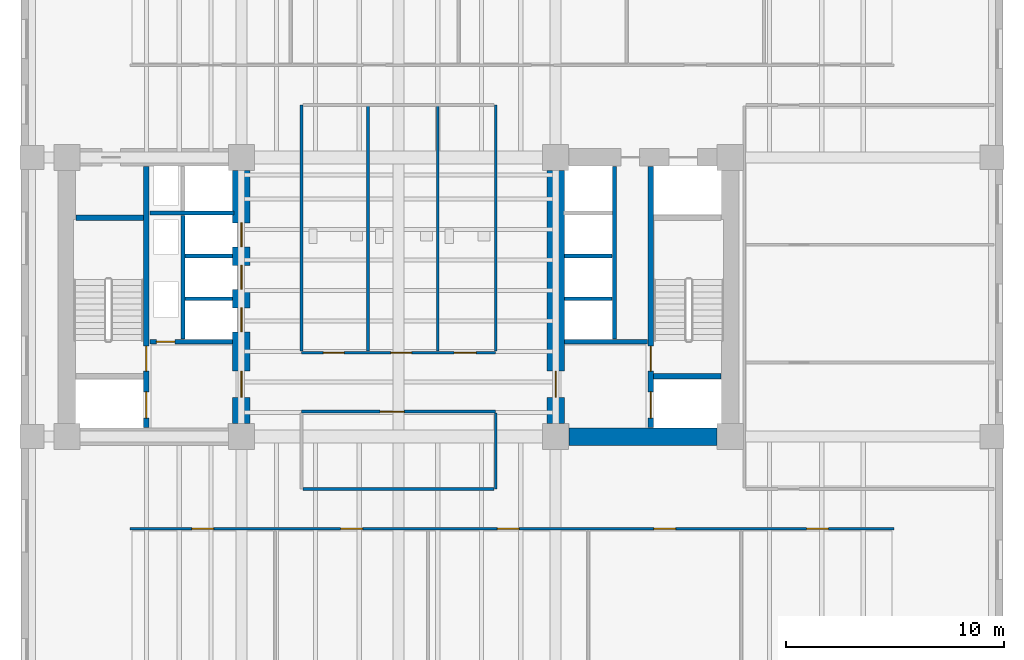
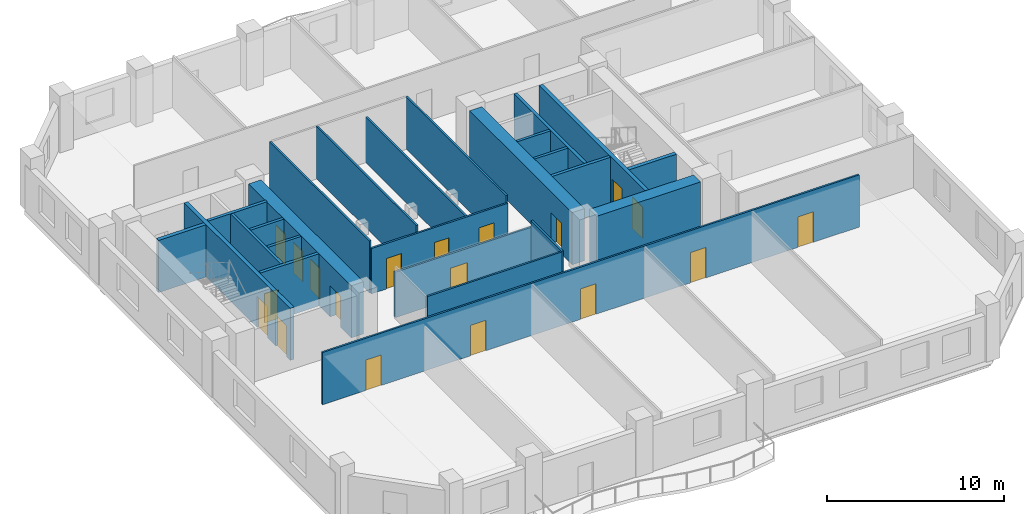
# One storey, part 3 of 9: 25 walls, 19 doors, 19 openings.
"""IFC4 building model written with IfcOpenShell, lengths in metres."""

from ifc_helpers import new_model, si_unit, direction, frame, frame_2d, origin, place, context, subcontext, project, spatial, rectangle, extrude, material, layer, layer_set, type_object, element, fill, save


model = new_model("IFC4")

# Units and contexts
model_context = context("Model", 3, precision=1e-05, world=origin(), true_north=direction((0.0, 1.0)))
body_context = subcontext(model_context, "Body", "Model", "MODEL_VIEW")
ifc_project = project(units=[si_unit("LENGTHUNIT", "METRE"), si_unit("AREAUNIT", "SQUARE_METRE"), si_unit("VOLUMEUNIT", "CUBIC_METRE"), si_unit("PLANEANGLEUNIT", "RADIAN"), si_unit("MASSUNIT", "GRAM", prefix="KILO")], contexts=[model_context])

# Site, building, storey
site_placement = place(None, origin())
site = spatial("IfcSite", under=ifc_project, at=site_placement, CompositionType="ELEMENT")
building_placement = place(site_placement, origin())
building = spatial("IfcBuilding", under=site, at=building_placement, Name="Kranthara Brick Stack", CompositionType="ELEMENT")
storey_placement = place(building_placement, frame((0.0, 0.0, 59.39990234375)))
storey = spatial("IfcBuildingStorey", under=building, at=storey_placement, Name="L14", CompositionType="ELEMENT", Elevation=59.39990234375)

# Wall, openings, doors
ifc_material_1 = material(Name="Concrete C50/60", Category="concrete")
ifc_layer_1 = layer(ifc_material_1, 0.25)
ifc_layer_set_1 = layer_set([ifc_layer_1], Name="Concrete C50/60")
wall_type_1 = type_object("IfcWallType", Name="WL-CORE-250", PredefinedType="SHEAR", material=ifc_layer_set_1)
wall_1_placement = place(storey_placement, frame((16.43505859375, 21.2099609375, 0.0), z_axis=(0.0, 0.0, 1.0), x_axis=(0.0, 1.0, 0.0)))
wall_1 = element("IfcWall", 1, at=wall_1_placement, inside=storey, type_object=wall_type_1, Name="L14 West Core Stair Bearing Spine Wall", PredefinedType="SHEAR", context=body_context, shape_type="SweptSolid", body=[
    extrude(rectangle(XDim=11.97998046875, YDim=0.25, at=frame_2d((5.989990234375, 0.0))), origin(), (0.0, 0.0, 1.0), 3.60009765625),
])
opening_1_placement = place(wall_1_placement, frame((0.43994140625, 0.0, 0.0)))
opening_1 = element("IfcOpeningElement", 2, at=opening_1_placement, cuts=wall_1, Name="Opening LD01", PredefinedType="OPENING", context=body_context, shape_type="SweptSolid", body=[
    extrude(rectangle(XDim=1.199951171875, YDim=2.14990234375, at=frame_2d((0.60009765625, 1.074951171875))), frame((0.0, 0.135009765625, 0.0), z_axis=(0.0, -1.0, 0.0), x_axis=(1.0, 0.0, 0.0)), (0.0, 0.0, 1.0), 0.27001953125),
])
opening_2_placement = place(wall_1_placement, frame((2.590087890625, 0.0, 0.0)))
opening_2 = element("IfcOpeningElement", 3, at=opening_2_placement, cuts=wall_1, Name="Opening D05", PredefinedType="OPENING", context=body_context, shape_type="SweptSolid", body=[
    extrude(rectangle(XDim=1.14990234375, YDim=2.14990234375, at=frame_2d((0.574951171875, 1.074951171875))), frame((0.0, 0.135009765625, 0.0), z_axis=(0.0, -1.0, 0.0), x_axis=(1.0, 0.0, 0.0)), (0.0, 0.0, 1.0), 0.27001953125),
])
ifc_material_2 = material(Name="Stainless steel sliding landing door", Category="steel")
door_type_1 = type_object("IfcDoorType", Name="DR-LD-FF1200", OperationType="DOUBLE_DOOR_SLIDING", PredefinedType="DOOR", material=ifc_material_2)
door_1_placement = place(opening_1_placement, origin())
door_1 = element("IfcDoor", 4, at=door_1_placement, inside=storey, type_object=door_type_1, Name="L14 Firefighting Lift FF-01 Landing Door", OperationType="DOUBLE_DOOR_SLIDING", OverallHeight=2.14990234375, OverallWidth=1.199951171875, PredefinedType="DOOR", context=body_context, shape_type="SweptSolid", body=[
    extrude(rectangle(XDim=1.199951171875, YDim=2.14990234375, at=frame_2d((0.60009765625, 1.074951171875))), frame((0.0, 0.02490234375, 0.0), z_axis=(0.0, -1.0, 0.0), x_axis=(1.0, 0.0, 0.0)), (0.0, 0.0, 1.0), 0.050048828125),
])
fill(opening_1, door_1)
ifc_material_3 = material(Name="Solid-core hardwood timber leaf in steel frame", Category="steel")
door_type_2 = type_object("IfcDoorType", Name="DR-ST-1150", OperationType="NOTDEFINED", PredefinedType="DOOR", material=ifc_material_3)
door_2_placement = place(opening_2_placement, origin())
door_2 = element("IfcDoor", 5, at=door_2_placement, inside=storey, type_object=door_type_2, Name="L14 Exit Stair ST01 Door", OperationType="SINGLE_SWING_RIGHT", OverallHeight=2.14990234375, OverallWidth=1.14990234375, PredefinedType="DOOR", context=body_context, shape_type="SweptSolid", body=[
    extrude(rectangle(XDim=1.14990234375, YDim=2.14990234375, at=frame_2d((0.574951171875, 1.074951171875))), frame((0.0, 0.02490234375, 0.0), z_axis=(0.0, -1.0, 0.0), x_axis=(1.0, 0.0, 0.0)), (0.0, 0.0, 1.0), 0.050048828125),
])
fill(opening_2, door_2)

# Wall
wall_2_placement = place(storey_placement, frame((13.2099609375, 30.830078125, 0.0), z_axis=(0.0, 0.0, 1.0), x_axis=(1.0, 0.0, 0.0)))
element("IfcWall", 6, at=wall_2_placement, inside=storey, type_object=wall_type_1, Name="L14 West Stairwell Bearing Wall WST", PredefinedType="SHEAR", context=body_context, shape_type="SweptSolid", body=[
    extrude(rectangle(XDim=3.10009765625, YDim=0.25, at=frame_2d((1.550048828125, 0.0))), origin(), (0.0, 0.0, 1.0), 3.60009765625),
])

# Wall, openings, doors
wall_3_placement = place(storey_placement, frame((39.56494140625, 21.2099609375, 0.0), z_axis=(0.0, 0.0, 1.0), x_axis=(0.0, 1.0, 0.0)))
wall_3 = element("IfcWall", 7, at=wall_3_placement, inside=storey, type_object=wall_type_1, Name="L14 East Core Stair Bearing Spine Wall", PredefinedType="SHEAR", context=body_context, shape_type="SweptSolid", body=[
    extrude(rectangle(XDim=11.97998046875, YDim=0.25, at=frame_2d((5.989990234375, 0.0))), origin(), (0.0, 0.0, 1.0), 3.60009765625),
])
opening_3_placement = place(wall_3_placement, frame((0.43994140625, 0.0, 0.0)))
opening_3 = element("IfcOpeningElement", 8, at=opening_3_placement, cuts=wall_3, Name="Opening LD01", PredefinedType="OPENING", context=body_context, shape_type="SweptSolid", body=[
    extrude(rectangle(XDim=1.199951171875, YDim=2.14990234375, at=frame_2d((0.60009765625, 1.074951171875))), frame((0.0, 0.135009765625, 0.0), z_axis=(0.0, -1.0, 0.0), x_axis=(1.0, 0.0, 0.0)), (0.0, 0.0, 1.0), 0.27001953125),
])
opening_4_placement = place(wall_3_placement, frame((2.590087890625, 0.0, 0.0)))
opening_4 = element("IfcOpeningElement", 9, at=opening_4_placement, cuts=wall_3, Name="Opening D05", PredefinedType="OPENING", context=body_context, shape_type="SweptSolid", body=[
    extrude(rectangle(XDim=1.14990234375, YDim=2.14990234375, at=frame_2d((0.574951171875, 1.074951171875))), frame((0.0, 0.135009765625, 0.0), z_axis=(0.0, -1.0, 0.0), x_axis=(1.0, 0.0, 0.0)), (0.0, 0.0, 1.0), 0.27001953125),
])
door_3_placement = place(opening_3_placement, origin())
door_3 = element("IfcDoor", 10, at=door_3_placement, inside=storey, type_object=door_type_1, Name="L14 Firefighting Lift FF-02 Landing Door", OperationType="DOUBLE_DOOR_SLIDING", OverallHeight=2.14990234375, OverallWidth=1.199951171875, PredefinedType="DOOR", context=body_context, shape_type="SweptSolid", body=[
    extrude(rectangle(XDim=1.199951171875, YDim=2.14990234375, at=frame_2d((0.60009765625, 1.074951171875))), frame((0.0, 0.02490234375, 0.0), z_axis=(0.0, -1.0, 0.0), x_axis=(1.0, 0.0, 0.0)), (0.0, 0.0, 1.0), 0.050048828125),
])
fill(opening_3, door_3)
door_4_placement = place(opening_4_placement, origin())
door_4 = element("IfcDoor", 11, at=door_4_placement, inside=storey, type_object=door_type_2, Name="L14 Exit Stair ST02 Door", OperationType="SINGLE_SWING_LEFT", OverallHeight=2.14990234375, OverallWidth=1.14990234375, PredefinedType="DOOR", context=body_context, shape_type="SweptSolid", body=[
    extrude(rectangle(XDim=1.14990234375, YDim=2.14990234375, at=frame_2d((0.574951171875, 1.074951171875))), frame((0.0, 0.02490234375, 0.0), z_axis=(0.0, -1.0, 0.0), x_axis=(1.0, 0.0, 0.0)), (0.0, 0.0, 1.0), 0.050048828125),
])
fill(opening_4, door_4)

# Wall
wall_4_placement = place(storey_placement, frame((39.68994140625, 23.570068359375, 0.0), z_axis=(0.0, 0.0, 1.0), x_axis=(1.0, 0.0, 0.0)))
element("IfcWall", 12, at=wall_4_placement, inside=storey, type_object=wall_type_1, Name="L14 East Stairwell Bearing Wall EFF", PredefinedType="SHEAR", context=body_context, shape_type="SweptSolid", body=[
    extrude(rectangle(XDim=3.10009765625, YDim=0.25, at=frame_2d((1.550048828125, 0.0))), origin(), (0.0, 0.0, 1.0), 3.60009765625),
])

# Wall, openings, doors
ifc_material_4 = material(Name="Concrete C70/85", Category="concrete")
ifc_layer_2 = layer(ifc_material_4, 0.800048828125)
ifc_layer_set_2 = layer_set([ifc_layer_2], Name="Concrete C70/85")
wall_type_2 = type_object("IfcWallType", Name="WL-CORE-800", PredefinedType="SHEAR", material=ifc_layer_set_2)
wall_5_placement = place(storey_placement, frame((20.800048828125, 21.405029296875, 0.0), z_axis=(0.0, 0.0, 1.0), x_axis=(0.0, 1.0, 0.0)))
wall_5 = element("IfcWall", 13, at=wall_5_placement, inside=storey, type_object=wall_type_2, Name="L14 West Core Shear Wall East", PredefinedType="SHEAR", context=body_context, shape_type="SweptSolid", body=[
    extrude(rectangle(XDim=11.590087890625, YDim=0.800048828125, at=frame_2d((5.794921875, 0.0))), origin(), (0.0, 0.0, 1.0), 3.60009765625),
])
opening_5_placement = place(wall_5_placement, frame((1.195068359375, 0.0, 0.0)))
opening_5 = element("IfcOpeningElement", 14, at=opening_5_placement, cuts=wall_5, Name="Opening D06", PredefinedType="OPENING", context=body_context, shape_type="SweptSolid", body=[
    extrude(rectangle(XDim=1.199951171875, YDim=2.14990234375, at=frame_2d((0.60009765625, 1.074951171875))), frame((0.0, 0.409912109375, 0.0), z_axis=(0.0, -1.0, 0.0), x_axis=(1.0, 0.0, 0.0)), (0.0, 0.0, 1.0), 0.820068359375),
])
opening_6_placement = place(wall_5_placement, frame((4.195068359375, 0.0, 0.0)))
opening_6 = element("IfcOpeningElement", 15, at=opening_6_placement, cuts=wall_5, Name="Opening LD02", PredefinedType="OPENING", context=body_context, shape_type="SweptSolid", body=[
    extrude(rectangle(XDim=1.10009765625, YDim=2.10009765625, at=frame_2d((0.550048828125, 1.050048828125))), frame((0.0, 0.409912109375, 0.0), z_axis=(0.0, -1.0, 0.0), x_axis=(1.0, 0.0, 0.0)), (0.0, 0.0, 1.0), 0.820068359375),
])
opening_7_placement = place(wall_5_placement, frame((6.14501953125, 0.0, 0.0)))
opening_7 = element("IfcOpeningElement", 16, at=opening_7_placement, cuts=wall_5, Name="Opening LD02", PredefinedType="OPENING", context=body_context, shape_type="SweptSolid", body=[
    extrude(rectangle(XDim=1.10009765625, YDim=2.10009765625, at=frame_2d((0.550048828125, 1.050048828125))), frame((0.0, 0.409912109375, 0.0), z_axis=(0.0, -1.0, 0.0), x_axis=(1.0, 0.0, 0.0)), (0.0, 0.0, 1.0), 0.820068359375),
])
opening_8_placement = place(wall_5_placement, frame((8.094970703125, 0.0, 0.0)))
opening_8 = element("IfcOpeningElement", 17, at=opening_8_placement, cuts=wall_5, Name="Opening LD02", PredefinedType="OPENING", context=body_context, shape_type="SweptSolid", body=[
    extrude(rectangle(XDim=1.10009765625, YDim=2.10009765625, at=frame_2d((0.550048828125, 1.050048828125))), frame((0.0, 0.409912109375, 0.0), z_axis=(0.0, -1.0, 0.0), x_axis=(1.0, 0.0, 0.0)), (0.0, 0.0, 1.0), 0.820068359375),
])
ifc_material_5 = material(Name="Solid-core hardwood timber leaf in steel frame", Category="steel")
door_type_3 = type_object("IfcDoorType", Name="DR-FFL-1200", OperationType="NOTDEFINED", PredefinedType="DOOR", material=ifc_material_5)
door_5_placement = place(opening_5_placement, origin())
door_5 = element("IfcDoor", 18, at=door_5_placement, inside=storey, type_object=door_type_3, Name="L14 West Firefighting Lobby Door", OperationType="SINGLE_SWING_LEFT", OverallHeight=2.14990234375, OverallWidth=1.199951171875, PredefinedType="DOOR", context=body_context, shape_type="SweptSolid", body=[
    extrude(rectangle(XDim=1.199951171875, YDim=2.14990234375, at=frame_2d((0.60009765625, 1.074951171875))), frame((0.0, 0.02490234375, 0.0), z_axis=(0.0, -1.0, 0.0), x_axis=(1.0, 0.0, 0.0)), (0.0, 0.0, 1.0), 0.050048828125),
])
fill(opening_5, door_5)
ifc_material_6 = material(Name="Stainless steel sliding landing door", Category="steel")
door_type_4 = type_object("IfcDoorType", Name="DR-LD-PL1100", OperationType="DOUBLE_DOOR_SLIDING", PredefinedType="DOOR", material=ifc_material_6)
door_6_placement = place(opening_6_placement, origin())
door_6 = element("IfcDoor", 19, at=door_6_placement, inside=storey, type_object=door_type_4, Name="L14 PL-01 Lift Landing Door", OperationType="DOUBLE_DOOR_SLIDING", OverallHeight=2.10009765625, OverallWidth=1.10009765625, PredefinedType="DOOR", context=body_context, shape_type="SweptSolid", body=[
    extrude(rectangle(XDim=1.10009765625, YDim=2.10009765625, at=frame_2d((0.550048828125, 1.050048828125))), frame((0.0, 0.02490234375, 0.0), z_axis=(0.0, -1.0, 0.0), x_axis=(1.0, 0.0, 0.0)), (0.0, 0.0, 1.0), 0.050048828125),
])
fill(opening_6, door_6)
door_7_placement = place(opening_7_placement, origin())
door_7 = element("IfcDoor", 20, at=door_7_placement, inside=storey, type_object=door_type_4, Name="L14 PL-02 Lift Landing Door", OperationType="DOUBLE_DOOR_SLIDING", OverallHeight=2.10009765625, OverallWidth=1.10009765625, PredefinedType="DOOR", context=body_context, shape_type="SweptSolid", body=[
    extrude(rectangle(XDim=1.10009765625, YDim=2.10009765625, at=frame_2d((0.550048828125, 1.050048828125))), frame((0.0, 0.02490234375, 0.0), z_axis=(0.0, -1.0, 0.0), x_axis=(1.0, 0.0, 0.0)), (0.0, 0.0, 1.0), 0.050048828125),
])
fill(opening_7, door_7)
door_8_placement = place(opening_8_placement, origin())
door_8 = element("IfcDoor", 21, at=door_8_placement, inside=storey, type_object=door_type_4, Name="L14 PL-03 Lift Landing Door", OperationType="DOUBLE_DOOR_SLIDING", OverallHeight=2.10009765625, OverallWidth=1.10009765625, PredefinedType="DOOR", context=body_context, shape_type="SweptSolid", body=[
    extrude(rectangle(XDim=1.10009765625, YDim=2.10009765625, at=frame_2d((0.550048828125, 1.050048828125))), frame((0.0, 0.02490234375, 0.0), z_axis=(0.0, -1.0, 0.0), x_axis=(1.0, 0.0, 0.0)), (0.0, 0.0, 1.0), 0.050048828125),
])
fill(opening_8, door_8)

# Wall
wall_6_placement = place(storey_placement, frame((35.804931640625, 20.800048828125, 0.0), z_axis=(0.0, 0.0, 1.0), x_axis=(1.0, 0.0, 0.0)))
element("IfcWall", 22, at=wall_6_placement, inside=storey, type_object=wall_type_2, Name="L14 East Core Shear Wall South", PredefinedType="SHEAR", context=body_context, shape_type="SweptSolid", body=[
    extrude(rectangle(XDim=6.7900390625, YDim=0.800048828125, at=frame_2d((3.39501953125, 0.0))), origin(), (0.0, 0.0, 1.0), 3.60009765625),
])

# Wall, opening, door
wall_7_placement = place(storey_placement, frame((35.199951171875, 21.405029296875, 0.0), z_axis=(0.0, 0.0, 1.0), x_axis=(0.0, 1.0, 0.0)))
wall_7 = element("IfcWall", 23, at=wall_7_placement, inside=storey, type_object=wall_type_2, Name="L14 East Core Shear Wall West", PredefinedType="SHEAR", context=body_context, shape_type="SweptSolid", body=[
    extrude(rectangle(XDim=11.590087890625, YDim=0.800048828125, at=frame_2d((5.794921875, 0.0))), origin(), (0.0, 0.0, 1.0), 3.60009765625),
])
opening_9_placement = place(wall_7_placement, frame((1.195068359375, 0.0, 0.0)))
opening_9 = element("IfcOpeningElement", 24, at=opening_9_placement, cuts=wall_7, Name="Opening D06", PredefinedType="OPENING", context=body_context, shape_type="SweptSolid", body=[
    extrude(rectangle(XDim=1.199951171875, YDim=2.14990234375, at=frame_2d((0.60009765625, 1.074951171875))), frame((0.0, 0.409912109375, 0.0), z_axis=(0.0, -1.0, 0.0), x_axis=(1.0, 0.0, 0.0)), (0.0, 0.0, 1.0), 0.820068359375),
])
door_9_placement = place(opening_9_placement, origin())
door_9 = element("IfcDoor", 25, at=door_9_placement, inside=storey, type_object=door_type_3, Name="L14 East Firefighting Lobby Door", OperationType="SINGLE_SWING_RIGHT", OverallHeight=2.14990234375, OverallWidth=1.199951171875, PredefinedType="DOOR", context=body_context, shape_type="SweptSolid", body=[
    extrude(rectangle(XDim=1.199951171875, YDim=2.14990234375, at=frame_2d((0.60009765625, 1.074951171875))), frame((0.0, 0.02490234375, 0.0), z_axis=(0.0, -1.0, 0.0), x_axis=(1.0, 0.0, 0.0)), (0.0, 0.0, 1.0), 0.050048828125),
])
fill(opening_9, door_9)

# Wall, openings, doors
ifc_material_7 = material(Name="Acoustic gypsum plasterboard partition", Category="other")
ifc_layer_3 = layer(ifc_material_7, 0.1201171875)
ifc_layer_set_3 = layer_set([ifc_layer_3], Name="Acoustic gypsum plasterboard partition")
wall_type_3 = type_object("IfcWallType", Name="WL-PART-120", PredefinedType="PARTITIONING", material=ifc_layer_set_3)
wall_8_placement = place(storey_placement, frame((23.550048828125, 24.64990234375, 0.0), z_axis=(0.0, 0.0, 1.0), x_axis=(1.0, 0.0, 0.0)))
wall_8 = element("IfcWall", 26, at=wall_8_placement, inside=storey, type_object=wall_type_3, Name="L14 Interior Partition 001", PredefinedType="PARTITIONING", context=body_context, shape_type="SweptSolid", body=[
    extrude(rectangle(XDim=8.89990234375, YDim=0.1201171875, at=frame_2d((4.449951171875, 0.0))), origin(), (0.0, 0.0, 1.0), 3.135009765625),
])
opening_10_placement = place(wall_8_placement, frame((1.0, 0.0, 0.0)))
opening_10 = element("IfcOpeningElement", 27, at=opening_10_placement, cuts=wall_8, Name="Opening D14", PredefinedType="OPENING", context=body_context, shape_type="SweptSolid", body=[
    extrude(rectangle(XDim=0.949951171875, YDim=2.10009765625, at=frame_2d((0.47509765625, 1.050048828125))), frame((0.0, 0.070068359375, 0.0), z_axis=(0.0, -1.0, 0.0), x_axis=(1.0, 0.0, 0.0)), (0.0, 0.0, 1.0), 0.14013671875),
])
opening_11_placement = place(wall_8_placement, frame((4.10009765625, 0.0, 0.0)))
opening_11 = element("IfcOpeningElement", 28, at=opening_11_placement, cuts=wall_8, Name="Opening D14", PredefinedType="OPENING", context=body_context, shape_type="SweptSolid", body=[
    extrude(rectangle(XDim=0.949951171875, YDim=2.10009765625, at=frame_2d((0.47509765625, 1.050048828125))), frame((0.0, 0.070068359375, 0.0), z_axis=(0.0, -1.0, 0.0), x_axis=(1.0, 0.0, 0.0)), (0.0, 0.0, 1.0), 0.14013671875),
])
opening_12_placement = place(wall_8_placement, frame((7.0, 0.0, 0.0)))
opening_12 = element("IfcOpeningElement", 29, at=opening_12_placement, cuts=wall_8, Name="Opening D18", PredefinedType="OPENING", context=body_context, shape_type="SweptSolid", body=[
    extrude(rectangle(XDim=1.0, YDim=2.10009765625, at=frame_2d((0.5, 1.050048828125))), frame((0.0, 0.070068359375, 0.0), z_axis=(0.0, -1.0, 0.0), x_axis=(1.0, 0.0, 0.0)), (0.0, 0.0, 1.0), 0.14013671875),
])
ifc_material_8 = material(Name="Solid-core hardwood timber leaf in steel frame", Category="steel")
door_type_5 = type_object("IfcDoorType", Name="DR-ACC-1000", OperationType="NOTDEFINED", PredefinedType="DOOR", material=ifc_material_8)
door_10_placement = place(opening_12_placement, origin())
door_10 = element("IfcDoor", 30, at=door_10_placement, inside=storey, type_object=door_type_5, Name="L14 Accessible WC Door 03", OperationType="SINGLE_SWING_LEFT", OverallHeight=2.10009765625, OverallWidth=1.0, PredefinedType="DOOR", context=body_context, shape_type="SweptSolid", body=[
    extrude(rectangle(XDim=1.0, YDim=2.10009765625, at=frame_2d((0.5, 1.050048828125))), frame((0.0, 0.02490234375, 0.0), z_axis=(0.0, -1.0, 0.0), x_axis=(1.0, 0.0, 0.0)), (0.0, 0.0, 1.0), 0.050048828125),
])
fill(opening_12, door_10)
ifc_material_9 = material(Name="Solid-core hardwood timber leaf in steel frame", Category="steel")
door_type_6 = type_object("IfcDoorType", Name="DR-INT-950", OperationType="NOTDEFINED", PredefinedType="DOOR", material=ifc_material_9)
door_11_placement = place(opening_10_placement, origin())
door_11 = element("IfcDoor", 31, at=door_11_placement, inside=storey, type_object=door_type_6, Name="L14 Male WC Door 01", OperationType="SINGLE_SWING_LEFT", OverallHeight=2.10009765625, OverallWidth=0.949951171875, PredefinedType="DOOR", context=body_context, shape_type="SweptSolid", body=[
    extrude(rectangle(XDim=0.949951171875, YDim=2.10009765625, at=frame_2d((0.47509765625, 1.050048828125))), frame((0.0, 0.02490234375, 0.0), z_axis=(0.0, -1.0, 0.0), x_axis=(1.0, 0.0, 0.0)), (0.0, 0.0, 1.0), 0.050048828125),
])
fill(opening_10, door_11)
door_12_placement = place(opening_11_placement, origin())
door_12 = element("IfcDoor", 32, at=door_12_placement, inside=storey, type_object=door_type_6, Name="L14 Female WC Door 02", OperationType="SINGLE_SWING_RIGHT", OverallHeight=2.10009765625, OverallWidth=0.949951171875, PredefinedType="DOOR", context=body_context, shape_type="SweptSolid", body=[
    extrude(rectangle(XDim=0.949951171875, YDim=2.10009765625, at=frame_2d((0.47509765625, 1.050048828125))), frame((0.0, 0.02490234375, 0.0), z_axis=(0.0, -1.0, 0.0), x_axis=(1.0, 0.0, 0.0)), (0.0, 0.0, 1.0), 0.050048828125),
])
fill(opening_11, door_12)

# Walls
for number, where, z_axis, x_axis, name in (
    (33, (23.550048828125, 24.715087890625, 0.0), (0.0, 0.0, 1.0), (0.0, 1.0, 0.0), "L14 Interior Partition 002"),
    (34, (32.449951171875, 24.715087890625, 0.0), (0.0, 0.0, 1.0), (0.0, 1.0, 0.0), "L14 Interior Partition 003"),
    (35, (26.60009765625, 24.715087890625, 0.0), (0.0, 0.0, 1.0), (0.0, 1.0, 0.0), "L14 Interior Partition 004"),
):
    element("IfcWall", number, at=place(storey_placement, frame(where, z_axis=z_axis, x_axis=x_axis)), inside=storey, type_object=wall_type_3, Name=name, PredefinedType="PARTITIONING", context=body_context, shape_type="SweptSolid", body=[
        extrude(rectangle(XDim=11.284912109375, YDim=0.1201171875, at=frame_2d((5.642578125, 0.0))), origin(), (0.0, 0.0, 1.0), 3.60009765625),
    ])
wall_9_placement = place(storey_placement, frame((29.800048828125, 24.715087890625, 0.0), z_axis=(0.0, 0.0, 1.0), x_axis=(0.0, 1.0, 0.0)))
element("IfcWall", 36, at=wall_9_placement, inside=storey, type_object=wall_type_3, Name="L14 Interior Partition 005", PredefinedType="PARTITIONING", context=body_context, shape_type="SweptSolid", body=[
    extrude(rectangle(XDim=11.284912109375, YDim=0.1201171875, at=frame_2d((5.642578125, 0.0))), origin(), (0.0, 0.0, 1.0), 3.135009765625),
])

# Wall, opening, door
wall_10_placement = place(storey_placement, frame((23.550048828125, 21.949951171875, 0.0), z_axis=(0.0, 0.0, 1.0), x_axis=(1.0, 0.0, 0.0)))
wall_10 = element("IfcWall", 37, at=wall_10_placement, inside=storey, type_object=wall_type_3, Name="L14 Interior Partition 007", PredefinedType="PARTITIONING", context=body_context, shape_type="SweptSolid", body=[
    extrude(rectangle(XDim=8.89990234375, YDim=0.1201171875, at=frame_2d((4.449951171875, 0.0))), origin(), (0.0, 0.0, 1.0), 3.135009765625),
])
opening_13_placement = place(wall_10_placement, frame((3.60009765625, 0.0, 0.0)))
opening_13 = element("IfcOpeningElement", 38, at=opening_13_placement, cuts=wall_10, Name="Opening D11", PredefinedType="OPENING", context=body_context, shape_type="SweptSolid", body=[
    extrude(rectangle(XDim=1.10009765625, YDim=2.14990234375, at=frame_2d((0.550048828125, 1.074951171875))), frame((0.0, 0.070068359375, 0.0), z_axis=(0.0, -1.0, 0.0), x_axis=(1.0, 0.0, 0.0)), (0.0, 0.0, 1.0), 0.14013671875),
])
ifc_material_10 = material(Name="Solid-core hardwood timber leaf in steel frame", Category="steel")
door_type_7 = type_object("IfcDoorType", Name="DR-INT-1100", OperationType="NOTDEFINED", PredefinedType="DOOR", material=ifc_material_10)
door_13_placement = place(opening_13_placement, origin())
door_13 = element("IfcDoor", 39, at=door_13_placement, inside=storey, type_object=door_type_7, Name="L14 Internal Briefing Room 04", OperationType="SINGLE_SWING_RIGHT", OverallHeight=2.14990234375, OverallWidth=1.10009765625, PredefinedType="DOOR", context=body_context, shape_type="SweptSolid", body=[
    extrude(rectangle(XDim=1.10009765625, YDim=2.14990234375, at=frame_2d((0.550048828125, 1.074951171875))), frame((0.0, 0.02490234375, 0.0), z_axis=(0.0, -1.0, 0.0), x_axis=(1.0, 0.0, 0.0)), (0.0, 0.0, 1.0), 0.050048828125),
])
fill(opening_13, door_13)

# Walls
wall_11_placement = place(storey_placement, frame((32.449951171875, 18.39990234375, 0.0), z_axis=(0.0, 0.0, 1.0), x_axis=(0.0, 1.0, 0.0)))
element("IfcWall", 40, at=wall_11_placement, inside=storey, type_object=wall_type_3, Name="L14 Interior Partition 009", PredefinedType="PARTITIONING", context=body_context, shape_type="SweptSolid", body=[
    extrude(rectangle(XDim=3.485107421875, YDim=0.1201171875, at=frame_2d((1.74267578125, 0.0))), origin(), (0.0, 0.0, 1.0), 3.60009765625),
])
wall_12_placement = place(storey_placement, frame((23.614990234375, 18.39990234375, 0.0), z_axis=(0.0, 0.0, 1.0), x_axis=(1.0, 0.0, 0.0)))
element("IfcWall", 41, at=wall_12_placement, inside=storey, type_object=wall_type_3, Name="L14 Interior Partition 010", PredefinedType="PARTITIONING", context=body_context, shape_type="SweptSolid", body=[
    extrude(rectangle(XDim=8.77001953125, YDim=0.1201171875, at=frame_2d((4.385009765625, 0.0))), origin(), (0.0, 0.0, 1.0), 3.60009765625),
])

# Wall, openings, doors
wall_13_placement = place(storey_placement, frame((15.699951171875, 16.580078125, 0.0), z_axis=(0.0, 0.0, 1.0), x_axis=(1.0, 0.0, 0.0)))
wall_13 = element("IfcWall", 42, at=wall_13_placement, inside=storey, type_object=wall_type_3, Name="L14 Interior Partition 011", PredefinedType="PARTITIONING", context=body_context, shape_type="SweptSolid", body=[
    extrude(rectangle(XDim=35.0, YDim=0.1201171875, at=frame_2d((17.5, 0.0))), origin(), (0.0, 0.0, 1.0), 3.60009765625),
])
opening_14_placement = place(wall_13_placement, frame((2.824951171875, 0.0, 0.0)))
opening_14 = element("IfcOpeningElement", 43, at=opening_14_placement, cuts=wall_13, Name="Opening D13", PredefinedType="OPENING", context=body_context, shape_type="SweptSolid", body=[
    extrude(rectangle(XDim=1.0, YDim=2.10009765625, at=frame_2d((0.5, 1.050048828125))), frame((0.0, 0.070068359375, 0.0), z_axis=(0.0, -1.0, 0.0), x_axis=(1.0, 0.0, 0.0)), (0.0, 0.0, 1.0), 0.14013671875),
])
opening_15_placement = place(wall_13_placement, frame((9.64990234375, 0.0, 0.0)))
opening_15 = element("IfcOpeningElement", 44, at=opening_15_placement, cuts=wall_13, Name="Opening D13", PredefinedType="OPENING", context=body_context, shape_type="SweptSolid", body=[
    extrude(rectangle(XDim=1.0, YDim=2.10009765625, at=frame_2d((0.5, 1.050048828125))), frame((0.0, 0.070068359375, 0.0), z_axis=(0.0, -1.0, 0.0), x_axis=(1.0, 0.0, 0.0)), (0.0, 0.0, 1.0), 0.14013671875),
])
opening_16_placement = place(wall_13_placement, frame((16.824951171875, 0.0, 0.0)))
opening_16 = element("IfcOpeningElement", 45, at=opening_16_placement, cuts=wall_13, Name="Opening D13", PredefinedType="OPENING", context=body_context, shape_type="SweptSolid", body=[
    extrude(rectangle(XDim=1.0, YDim=2.10009765625, at=frame_2d((0.5, 1.050048828125))), frame((0.0, 0.070068359375, 0.0), z_axis=(0.0, -1.0, 0.0), x_axis=(1.0, 0.0, 0.0)), (0.0, 0.0, 1.0), 0.14013671875),
])
opening_17_placement = place(wall_13_placement, frame((24.0, 0.0, 0.0)))
opening_17 = element("IfcOpeningElement", 46, at=opening_17_placement, cuts=wall_13, Name="Opening D13", PredefinedType="OPENING", context=body_context, shape_type="SweptSolid", body=[
    extrude(rectangle(XDim=1.0, YDim=2.10009765625, at=frame_2d((0.5, 1.050048828125))), frame((0.0, 0.070068359375, 0.0), z_axis=(0.0, -1.0, 0.0), x_axis=(1.0, 0.0, 0.0)), (0.0, 0.0, 1.0), 0.14013671875),
])
opening_18_placement = place(wall_13_placement, frame((31.0, 0.0, 0.0)))
opening_18 = element("IfcOpeningElement", 47, at=opening_18_placement, cuts=wall_13, Name="Opening D13", PredefinedType="OPENING", context=body_context, shape_type="SweptSolid", body=[
    extrude(rectangle(XDim=1.0, YDim=2.10009765625, at=frame_2d((0.5, 1.050048828125))), frame((0.0, 0.070068359375, 0.0), z_axis=(0.0, -1.0, 0.0), x_axis=(1.0, 0.0, 0.0)), (0.0, 0.0, 1.0), 0.14013671875),
])
ifc_material_11 = material(Name="Solid-core hardwood timber leaf in steel frame", Category="steel")
door_type_8 = type_object("IfcDoorType", Name="DR-INT-1000", OperationType="NOTDEFINED", PredefinedType="DOOR", material=ifc_material_11)
door_14_placement = place(opening_14_placement, origin())
door_14 = element("IfcDoor", 48, at=door_14_placement, inside=storey, type_object=door_type_8, Name="L14 Executive Cellular Office 05", OperationType="SINGLE_SWING_LEFT", OverallHeight=2.10009765625, OverallWidth=1.0, PredefinedType="DOOR", context=body_context, shape_type="SweptSolid", body=[
    extrude(rectangle(XDim=1.0, YDim=2.10009765625, at=frame_2d((0.5, 1.050048828125))), frame((0.0, 0.02490234375, 0.0), z_axis=(0.0, -1.0, 0.0), x_axis=(1.0, 0.0, 0.0)), (0.0, 0.0, 1.0), 0.050048828125),
])
fill(opening_14, door_14)
door_15_placement = place(opening_15_placement, origin())
door_15 = element("IfcDoor", 49, at=door_15_placement, inside=storey, type_object=door_type_8, Name="L14 Executive Cellular Office 06", OperationType="SINGLE_SWING_RIGHT", OverallHeight=2.10009765625, OverallWidth=1.0, PredefinedType="DOOR", context=body_context, shape_type="SweptSolid", body=[
    extrude(rectangle(XDim=1.0, YDim=2.10009765625, at=frame_2d((0.5, 1.050048828125))), frame((0.0, 0.02490234375, 0.0), z_axis=(0.0, -1.0, 0.0), x_axis=(1.0, 0.0, 0.0)), (0.0, 0.0, 1.0), 0.050048828125),
])
fill(opening_15, door_15)
door_16_placement = place(opening_16_placement, origin())
door_16 = element("IfcDoor", 50, at=door_16_placement, inside=storey, type_object=door_type_8, Name="L14 Executive Cellular Office 07", OperationType="SINGLE_SWING_LEFT", OverallHeight=2.10009765625, OverallWidth=1.0, PredefinedType="DOOR", context=body_context, shape_type="SweptSolid", body=[
    extrude(rectangle(XDim=1.0, YDim=2.10009765625, at=frame_2d((0.5, 1.050048828125))), frame((0.0, 0.02490234375, 0.0), z_axis=(0.0, -1.0, 0.0), x_axis=(1.0, 0.0, 0.0)), (0.0, 0.0, 1.0), 0.050048828125),
])
fill(opening_16, door_16)
door_17_placement = place(opening_17_placement, origin())
door_17 = element("IfcDoor", 51, at=door_17_placement, inside=storey, type_object=door_type_8, Name="L14 Executive Cellular Office 08", OperationType="SINGLE_SWING_RIGHT", OverallHeight=2.10009765625, OverallWidth=1.0, PredefinedType="DOOR", context=body_context, shape_type="SweptSolid", body=[
    extrude(rectangle(XDim=1.0, YDim=2.10009765625, at=frame_2d((0.5, 1.050048828125))), frame((0.0, 0.02490234375, 0.0), z_axis=(0.0, -1.0, 0.0), x_axis=(1.0, 0.0, 0.0)), (0.0, 0.0, 1.0), 0.050048828125),
])
fill(opening_17, door_17)
door_18_placement = place(opening_18_placement, origin())
door_18 = element("IfcDoor", 52, at=door_18_placement, inside=storey, type_object=door_type_8, Name="L14 Focus Study Room 09", OperationType="SINGLE_SWING_LEFT", OverallHeight=2.10009765625, OverallWidth=1.0, PredefinedType="DOOR", context=body_context, shape_type="SweptSolid", body=[
    extrude(rectangle(XDim=1.0, YDim=2.10009765625, at=frame_2d((0.5, 1.050048828125))), frame((0.0, 0.02490234375, 0.0), z_axis=(0.0, -1.0, 0.0), x_axis=(1.0, 0.0, 0.0)), (0.0, 0.0, 1.0), 0.050048828125),
])
fill(opening_18, door_18)

# Walls
ifc_material_12 = material(Name="Gypsum plasterboard on acoustic twin stud", Category="other")
ifc_layer_4 = layer(ifc_material_12, 0.179931640625)
ifc_layer_set_4 = layer_set([ifc_layer_4], Name="Gypsum plasterboard on acoustic twin stud")
wall_type_4 = type_object("IfcWallType", Name="WL-PART-180", PredefinedType="PARTITIONING", material=ifc_layer_set_4)
wall_14_placement = place(storey_placement, frame((18.1201171875, 25.27001953125, 0.0), z_axis=(0.0, 0.0, 1.0), x_axis=(0.0, 1.0, 0.0)))
element("IfcWall", 53, at=wall_14_placement, inside=storey, type_object=wall_type_4, Name="L14 West Hoistway Wall WBK", PredefinedType="PARTITIONING", context=body_context, shape_type="SweptSolid", body=[
    extrude(rectangle(XDim=5.659912109375, YDim=0.179931640625, at=frame_2d((2.830078125, 0.0))), origin(), (0.0, 0.0, 1.0), 3.60009765625),
])
for number, where, z_axis, x_axis, name in (
    (54, (18.219970703125, 27.1201171875, 0.0), (0.0, 0.0, 1.0), (1.0, 0.0, 0.0), "L14 West Hoistway Wall WH1"),
    (55, (18.219970703125, 29.080078125, 0.0), (0.0, 0.0, 1.0), (1.0, 0.0, 0.0), "L14 West Hoistway Wall WH2"),
    (56, (35.610107421875, 27.1201171875, 0.0), (0.0, 0.0, 1.0), (1.0, 0.0, 0.0), "L14 East Hoistway Wall EH1"),
    (57, (35.610107421875, 29.080078125, 0.0), (0.0, 0.0, 1.0), (1.0, 0.0, 0.0), "L14 East Hoistway Wall EH2"),
):
    element("IfcWall", number, at=place(storey_placement, frame(where, z_axis=z_axis, x_axis=x_axis)), inside=storey, type_object=wall_type_4, Name=name, PredefinedType="PARTITIONING", context=body_context, shape_type="SweptSolid", body=[
        extrude(rectangle(XDim=2.169921875, YDim=0.179931640625, at=frame_2d((1.0849609375, 0.0))), origin(), (0.0, 0.0, 1.0), 3.60009765625),
    ])

# Wall, opening, door
ifc_material_13 = material(Name="Concrete C40/50", Category="concrete")
ifc_layer_5 = layer(ifc_material_13, 0.199951171875)
ifc_layer_set_5 = layer_set([ifc_layer_5], Name="Concrete C40/50")
wall_type_5 = type_object("IfcWallType", Name="WL-PART-200", PredefinedType="SOLIDWALL", material=ifc_layer_set_5)
wall_15_placement = place(storey_placement, frame((16.60009765625, 25.14990234375, 0.0), z_axis=(0.0, 0.0, 1.0), x_axis=(1.0, 0.0, 0.0)))
wall_15 = element("IfcWall", 58, at=wall_15_placement, inside=storey, type_object=wall_type_5, Name="L14 West Core Cross Wall WFL", PredefinedType="SOLIDWALL", context=body_context, shape_type="SweptSolid", body=[
    extrude(rectangle(XDim=3.789794921875, YDim=0.199951171875, at=frame_2d((1.89501953125, 0.0))), origin(), (0.0, 0.0, 1.0), 3.60009765625),
])
opening_19_placement = place(wall_15_placement, frame((0.300048828125, 0.0, 0.0)))
opening_19 = element("IfcOpeningElement", 59, at=opening_19_placement, cuts=wall_15, Name="Opening D10", PredefinedType="OPENING", context=body_context, shape_type="SweptSolid", body=[
    extrude(rectangle(XDim=0.85009765625, YDim=2.02001953125, at=frame_2d((0.425048828125, 1.010009765625))), frame((0.0, 0.10986328125, 0.0), z_axis=(0.0, -1.0, 0.0), x_axis=(1.0, 0.0, 0.0)), (0.0, 0.0, 1.0), 0.219970703125),
])
ifc_material_14 = material(Name="Solid-core hardwood timber leaf in steel frame", Category="steel")
door_type_9 = type_object("IfcDoorType", Name="DR-RSR-850", OperationType="NOTDEFINED", PredefinedType="DOOR", material=ifc_material_14)
door_19_placement = place(opening_19_placement, origin())
door_19 = element("IfcDoor", 60, at=door_19_placement, inside=storey, type_object=door_type_9, Name="L14 Mechanical Riser Access Door", OperationType="SINGLE_SWING_LEFT", OverallHeight=2.02001953125, OverallWidth=0.85009765625, PredefinedType="DOOR", context=body_context, shape_type="SweptSolid", body=[
    extrude(rectangle(XDim=0.85009765625, YDim=2.02001953125, at=frame_2d((0.425048828125, 1.010009765625))), frame((0.0, 0.02490234375, 0.0), z_axis=(0.0, -1.0, 0.0), x_axis=(1.0, 0.0, 0.0)), (0.0, 0.0, 1.0), 0.050048828125),
])
fill(opening_19, door_19)

# Walls
wall_16_placement = place(storey_placement, frame((16.60009765625, 31.050048828125, 0.0), z_axis=(0.0, 0.0, 1.0), x_axis=(1.0, 0.0, 0.0)))
element("IfcWall", 61, at=wall_16_placement, inside=storey, type_object=wall_type_5, Name="L14 West Core Cross Wall WH4", PredefinedType="SOLIDWALL", context=body_context, shape_type="SweptSolid", body=[
    extrude(rectangle(XDim=3.849853515625, YDim=0.199951171875, at=frame_2d((1.9248046875, 0.0))), origin(), (0.0, 0.0, 1.0), 3.60009765625),
])
wall_17_placement = place(storey_placement, frame((35.610107421875, 25.14990234375, 0.0), z_axis=(0.0, 0.0, 1.0), x_axis=(1.0, 0.0, 0.0)))
element("IfcWall", 62, at=wall_17_placement, inside=storey, type_object=wall_type_5, Name="L14 East Core Cross Wall EFL", PredefinedType="SOLIDWALL", context=body_context, shape_type="SweptSolid", body=[
    extrude(rectangle(XDim=3.789794921875, YDim=0.199951171875, at=frame_2d((1.89501953125, 0.0))), origin(), (0.0, 0.0, 1.0), 3.60009765625),
])
wall_18_placement = place(storey_placement, frame((37.89990234375, 25.27001953125, 0.0), z_axis=(0.0, 0.0, 1.0), x_axis=(0.0, 1.0, 0.0)))
element("IfcWall", 63, at=wall_18_placement, inside=storey, type_object=wall_type_5, Name="L14 East Core Cross Wall ESV", PredefinedType="SOLIDWALL", context=body_context, shape_type="SweptSolid", body=[
    extrude(rectangle(XDim=7.919921875, YDim=0.199951171875, at=frame_2d((3.9599609375, 0.0))), origin(), (0.0, 0.0, 1.0), 3.60009765625),
])

save(model, "model.ifc")
